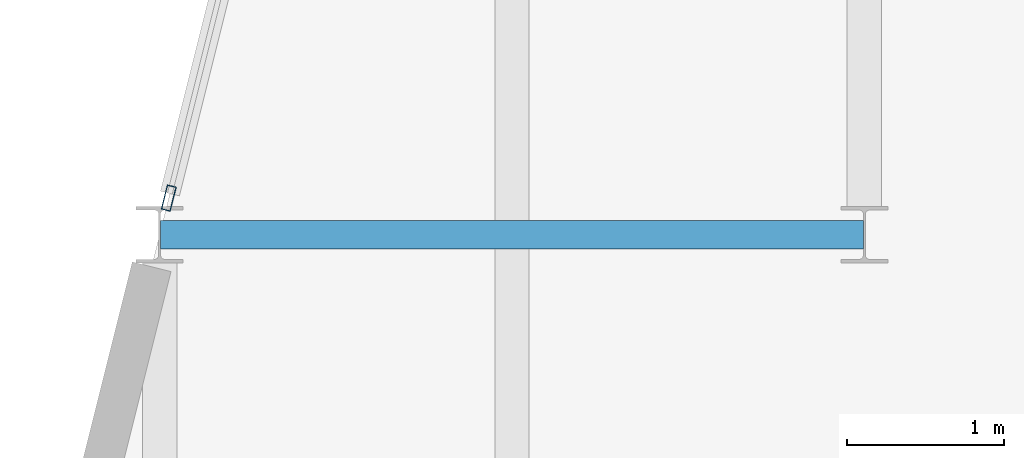
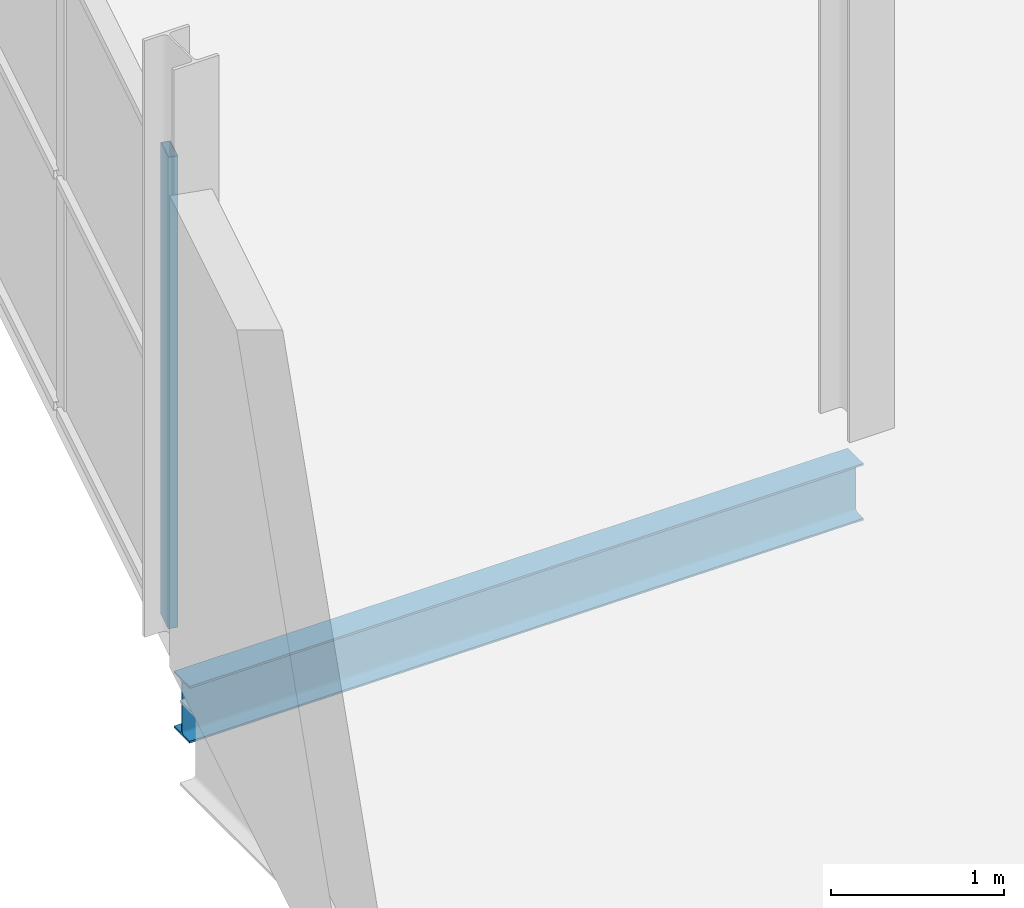
# One storey, part 88 of 135: 1 beam, 1 member, 1 element without a shape of its own.
"""IFC4 building model written with IfcOpenShell, lengths in metres."""

from ifc_helpers import new_model, si_unit, direction, frame, origin, origin_2d, place, context, subcontext, project, spatial, hollow_rectangle, i_section, extrude, material, layer, layer_set, material_profile, profile_set, type_object, element, aggregate, save


model = new_model("IFC4")

# Units and contexts
model_context = context("Model", 3, precision=1e-05, world=origin(), true_north=direction((0.0, 1.0)))
body_context = subcontext(model_context, "Body", "Model", "MODEL_VIEW")
ifc_project = project(units=[si_unit("LENGTHUNIT", "METRE"), si_unit("AREAUNIT", "SQUARE_METRE"), si_unit("VOLUMEUNIT", "CUBIC_METRE"), si_unit("PLANEANGLEUNIT", "RADIAN"), si_unit("MASSUNIT", "GRAM", prefix="KILO")], contexts=[model_context])

# Site, building, storey
site_placement = place(None, origin())
site = spatial("IfcSite", under=ifc_project, at=site_placement, CompositionType="ELEMENT")
building_placement = place(site_placement, origin())
building = spatial("IfcBuilding", under=site, at=building_placement, Name="Deido Ridge Mobility Hub", CompositionType="ELEMENT")
storey_placement = place(building_placement, frame((0.0, 0.0, 4.199951171875)))
storey = spatial("IfcBuildingStorey", under=building, at=storey_placement, Name="L01", CompositionType="ELEMENT", Elevation=4.199951171875)

# Beam
ifc_material_1 = material(Name="Steel S355J2 EN 10025-2", Category="steel")
ifc_material_profile_1 = material_profile(ifc_material_1, i_section(OverallWidth=0.179931640625, OverallDepth=0.39990234375, WebThickness=0.008544921875, FlangeThickness=0.013427734375, FilletRadius=0.02099609375, at=origin_2d()), Name="IPE 400")
ifc_profile_set_1 = profile_set([ifc_material_profile_1], Name="Steel S355J2 EN 10025-2")
beam_type = type_object("IfcBeamType", Name="BM-IPE400", PredefinedType="BEAM", material=ifc_profile_set_1)
beam_placement = place(storey_placement, frame((128.256103515625, 45.0, -0.449951171875), z_axis=(1.0, 0.0, 0.0), x_axis=(0.0, 1.0, 0.0)))
element("IfcBeam", 1, at=beam_placement, inside=storey, type_object=beam_type, Name="Floor beam B5", PredefinedType="BEAM", context=body_context, shape_type="SweptSolid", body=[
    extrude(i_section(OverallWidth=0.179931640625, OverallDepth=0.39990234375, WebThickness=0.008544921875, FlangeThickness=0.013427734375, FilletRadius=0.02099609375, at=origin_2d()), origin(), (0.0, 0.0, 1.0), 4.48779296875),
])

# Curtain wall, member
ifc_material_2 = material(Name="Anodised aluminium EN AW-6063 T6", Category="aluminium")
ifc_layer = layer(ifc_material_2, 0.2099609375, Name="Anodised aluminium EN AW-6063 T6")
ifc_layer_set = layer_set([ifc_layer], Name="Anodised aluminium EN AW-6063 T6")
curtain_wall_type = type_object("IfcCurtainWallType", Name="CW-UF-4", PredefinedType="USERDEFINED", material=ifc_layer_set)
curtain_wall_placement = place(storey_placement, origin())
curtain_wall = element("IfcCurtainWall", 2, at=curtain_wall_placement, inside=storey, type_object=curtain_wall_type, Name="Unitised curtain wall CW4", ObjectType="UNITISED FACADE", PredefinedType="USERDEFINED")
ifc_material_profile_2 = material_profile(ifc_material_2, hollow_rectangle(XDim=0.06005859375, YDim=0.159912109375, WallThickness=0.00390625, at=origin_2d()), Name="RHS 60x160x4")
ifc_profile_set_2 = profile_set([ifc_material_profile_2], Name="Anodised aluminium EN AW-6063 T6")
member_type = type_object("IfcMemberType", Name="MEM-MUL-60X160", PredefinedType="MULLION", material=ifc_profile_set_2)
member_placement = place(storey_placement, frame((128.30859375, 45.23388671875, 0.0), z_axis=(0.0, 0.0, 1.0), x_axis=(-0.970143828731, 0.242530310632, 0.0)))
member = element("IfcMember", 3, at=member_placement, type_object=member_type, Name="CW4 mullion 1", PredefinedType="MULLION", context=body_context, shape_type="SweptSolid", body=[
    extrude(hollow_rectangle(XDim=0.06005859375, YDim=0.159912109375, WallThickness=0.00390625, at=origin_2d()), origin(), (0.0, 0.0, 1.0), 3.320068359375),
])
aggregate(curtain_wall, [member])

save(model, "model.ifc")
